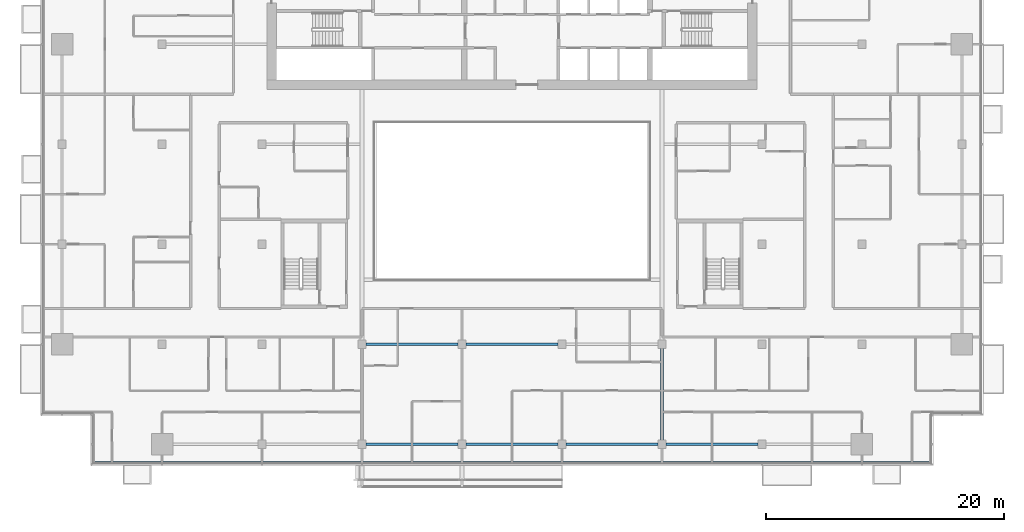
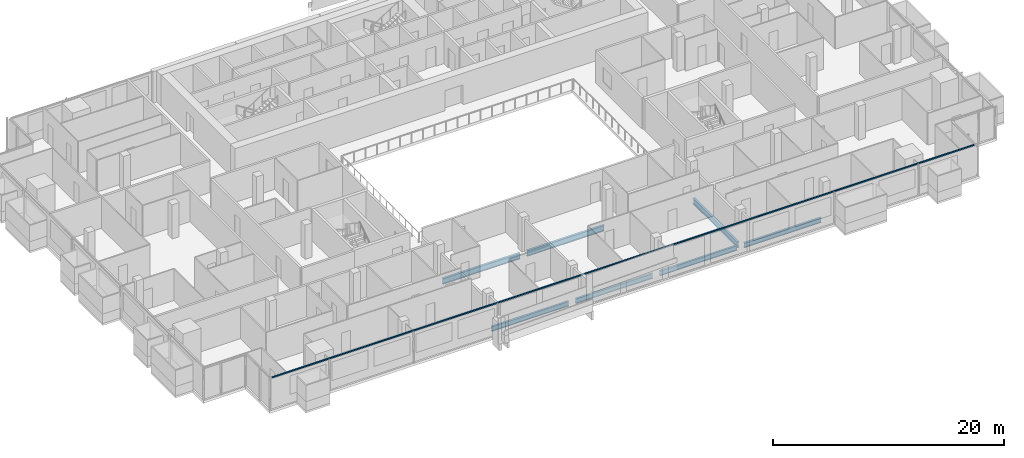
# One storey, part 5 of 28: 7 beams, 1 member, 1 element without a shape of its own.
"""IFC4 building model written with IfcOpenShell, lengths in metres."""

from ifc_helpers import new_model, si_unit, direction, frame, origin, origin_2d, place, context, subcontext, project, spatial, rectangle, i_section, extrude, material, material_profile, profile_set, type_object, element, aggregate, save


model = new_model("IFC4")

# Units and contexts
model_context = context("Model", 3, precision=1e-05, world=origin(), true_north=direction((0.0, 1.0)))
body_context = subcontext(model_context, "Body", "Model", "MODEL_VIEW")
ifc_project = project(units=[si_unit("LENGTHUNIT", "METRE"), si_unit("AREAUNIT", "SQUARE_METRE"), si_unit("VOLUMEUNIT", "CUBIC_METRE"), si_unit("PLANEANGLEUNIT", "RADIAN"), si_unit("MASSUNIT", "GRAM", prefix="KILO")], contexts=[model_context])

# Site, building, storey
site_placement = place(None, origin())
site = spatial("IfcSite", under=ifc_project, at=site_placement, CompositionType="ELEMENT")
building_placement = place(site_placement, origin())
building = spatial("IfcBuilding", under=site, at=building_placement, Name="Saffron Gate Tower", CompositionType="ELEMENT")
storey_placement = place(building_placement, frame((0.0, 0.0, 151.050048828125)))
storey = spatial("IfcBuildingStorey", under=building, at=storey_placement, Name="L36", CompositionType="ELEMENT", Elevation=151.050048828125)

# Beams
ifc_material_1 = material(Name="Structural steel S355", Category="steel")
ifc_material_profile_1 = material_profile(ifc_material_1, i_section(OverallWidth=0.199951171875, OverallDepth=0.5, WebThickness=0.01025390625, FlangeThickness=0.01611328125, FilletRadius=0.02099609375, at=origin_2d()))
ifc_profile_set_1 = profile_set([ifc_material_profile_1], Name="Structural steel S355")
beam_type_1 = type_object("IfcBeamType", Name="B11 IPE 500", PredefinedType="SPANDREL", material=ifc_profile_set_1)
for number, where, z_axis, x_axis, name in (
    (1, (75.35009765625, 31.800048828125, -0.530029296875), (1.0, 0.0, 0.0), (0.0, 1.0, 0.0), "B11 SPANDREL BEAM"),
    (2, (83.75, 31.800048828125, -0.530029296875), (1.0, 0.0, 0.0), (0.0, 1.0, 0.0), "B11 SPANDREL BEAM"),
):
    element("IfcBeam", number, at=place(storey_placement, frame(where, z_axis=z_axis, x_axis=x_axis)), inside=storey, type_object=beam_type_1, Name=name, PredefinedType="SPANDREL", context=body_context, shape_type="SweptSolid", body=[
        extrude(i_section(OverallWidth=0.199951171875, OverallDepth=0.5, WebThickness=0.01025390625, FlangeThickness=0.01611328125, FilletRadius=0.02099609375, at=origin_2d()), origin(), (0.0, 0.0, 1.0), 7.699951171875),
    ])
beam_1_placement = place(storey_placement, frame((92.14990234375, 31.800048828125, -0.530029296875), z_axis=(1.0, 0.0, 0.0), x_axis=(0.0, 1.0, 0.0)))
element("IfcBeam", 3, at=beam_1_placement, inside=storey, type_object=beam_type_1, Name="B11 SPANDREL BEAM", PredefinedType="SPANDREL", context=body_context, shape_type="SweptSolid", body=[
    extrude(i_section(OverallWidth=0.199951171875, OverallDepth=0.5, WebThickness=0.01025390625, FlangeThickness=0.01611328125, FilletRadius=0.02099609375, at=origin_2d()), origin(), (0.0, 0.0, 1.0), 7.7001953125),
])
beam_2_placement = place(storey_placement, frame((100.550048828125, 31.800048828125, -0.530029296875), z_axis=(1.0, 0.0, 0.0), x_axis=(0.0, 1.0, 0.0)))
element("IfcBeam", 4, at=beam_2_placement, inside=storey, type_object=beam_type_1, Name="B11 SPANDREL BEAM", PredefinedType="SPANDREL", context=body_context, shape_type="SweptSolid", body=[
    extrude(i_section(OverallWidth=0.199951171875, OverallDepth=0.5, WebThickness=0.01025390625, FlangeThickness=0.01611328125, FilletRadius=0.02099609375, at=origin_2d()), origin(), (0.0, 0.0, 1.0), 7.699951171875),
])
ifc_material_profile_2 = material_profile(ifc_material_1, i_section(OverallWidth=0.219970703125, OverallDepth=0.60009765625, WebThickness=0.011962890625, FlangeThickness=0.01904296875, FilletRadius=0.02392578125, at=origin_2d()))
ifc_profile_set_2 = profile_set([ifc_material_profile_2], Name="Structural steel S355")
beam_type_2 = type_object("IfcBeamType", Name="B15 IPE 600", PredefinedType="BEAM", material=ifc_profile_set_2)
beam_3_placement = place(storey_placement, frame((100.199951171875, 32.14990234375, -0.580078125), z_axis=(0.0, 1.0, 0.0), x_axis=(-1.0, 0.0, 0.0)))
element("IfcBeam", 5, at=beam_3_placement, inside=storey, type_object=beam_type_2, Name="B15 FLOOR GIRDER", PredefinedType="BEAM", context=body_context, shape_type="SweptSolid", body=[
    extrude(i_section(OverallWidth=0.219970703125, OverallDepth=0.60009765625, WebThickness=0.011962890625, FlangeThickness=0.01904296875, FilletRadius=0.02392578125, at=origin_2d()), origin(), (0.0, 0.0, 1.0), 7.7001953125),
])
for number, where, z_axis, x_axis, name in (
    (6, (75.35009765625, 40.199951171875, -0.580078125), (1.0, 0.0, 0.0), (0.0, 1.0, 0.0), "B15 FLOOR GIRDER"),
    (7, (83.75, 40.199951171875, -0.580078125), (1.0, 0.0, 0.0), (0.0, 1.0, 0.0), "B15 FLOOR GIRDER"),
):
    element("IfcBeam", number, at=place(storey_placement, frame(where, z_axis=z_axis, x_axis=x_axis)), inside=storey, type_object=beam_type_2, Name=name, PredefinedType="BEAM", context=body_context, shape_type="SweptSolid", body=[
        extrude(i_section(OverallWidth=0.219970703125, OverallDepth=0.60009765625, WebThickness=0.011962890625, FlangeThickness=0.01904296875, FilletRadius=0.02392578125, at=origin_2d()), origin(), (0.0, 0.0, 1.0), 7.699951171875),
    ])

# Curtain wall, member
ifc_material_2 = material(Name="Aluminium, bronze anodised", Category="aluminium")
curtain_wall_type = type_object("IfcCurtainWallType", Name="CWS1 curtain wall front facade", PredefinedType="NOTDEFINED", material=ifc_material_2)
curtain_wall_placement = place(storey_placement, origin())
curtain_wall = element("IfcCurtainWall", 8, at=curtain_wall_placement, inside=storey, type_object=curtain_wall_type, Name="CWS1 run 1", PredefinedType="NOTDEFINED")
ifc_material_profile_3 = material_profile(ifc_material_2, rectangle(XDim=0.1201171875, YDim=0.1201171875, at=origin_2d()))
ifc_profile_set_3 = profile_set([ifc_material_profile_3], Name="Aluminium, bronze anodised")
member_type = type_object("IfcMemberType", Name="CWS1 head transom", PredefinedType="USERDEFINED", material=ifc_profile_set_3)
member_placement = place(storey_placement, frame((52.568115234375, 30.248046875, 3.260009765625), z_axis=(1.0, 0.0, 0.0), x_axis=(0.0, 1.0, 0.0)))
member = element("IfcMember", 9, at=member_placement, type_object=member_type, Name="CWS1 head transom", ObjectType="TRANSOM", PredefinedType="USERDEFINED", context=body_context, shape_type="SweptSolid", body=[
    extrude(rectangle(XDim=0.1201171875, YDim=0.1201171875, at=origin_2d()), origin(), (0.0, 0.0, 1.0), 70.06396484375),
])
aggregate(curtain_wall, [member])

save(model, "model.ifc")
